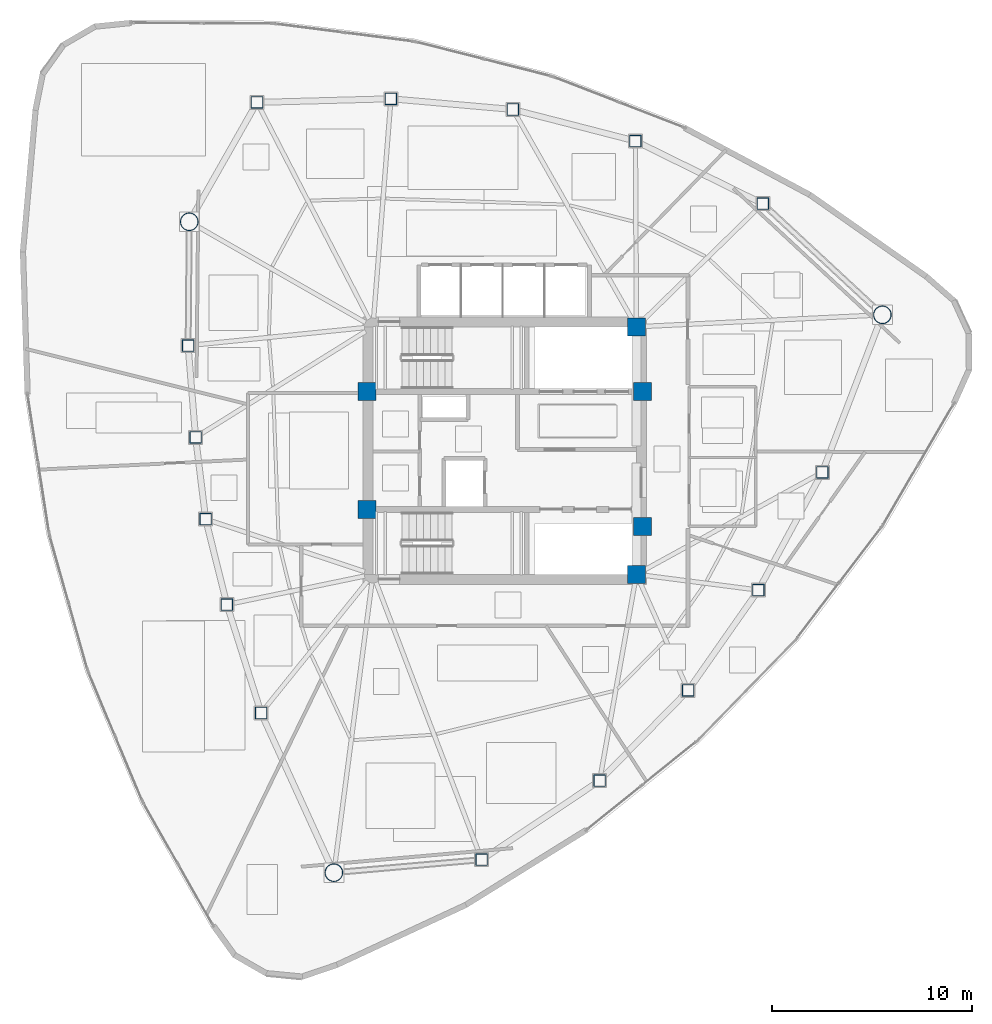
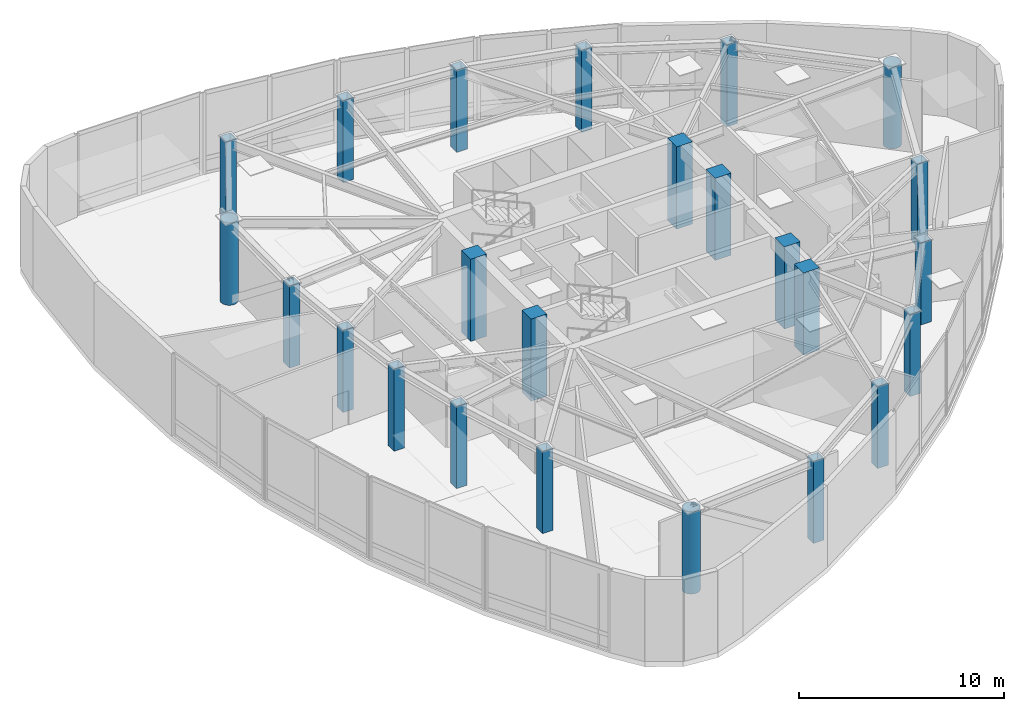
# One storey, part 1 of 12: 24 columns.
"""IFC4 building model written with IfcOpenShell, lengths in metres."""

import ifcopenshell
import ifcopenshell.guid

model = None  # the IFC model being written
_history = None  # IfcOwnerHistory: only IFC2X3 demands one
_inside = {}  # id of a spatial element -> (the spatial element, [elements in it])
_under = {}  # id of a project, library or spatial element -> (it, [spatial elements below it])
_declared = {}  # id of a project -> (the project, [libraries it declares])
_typed = {}  # id of a type object -> (the type object, [elements of that type])
_made_of = {}  # id of a material, layer set ... -> (it, [elements and type objects made of it])


def new_model(schema):
    """Start an empty IFC model of exactly this schema.

    Asked for "IFC4X3", IfcOpenShell would pick the latest addendum, in which some entities
    have other attributes; the version numbers below select the first issue.
    IFC2X3 requires an IfcOwnerHistory on every rooted entity: one is made here for all.
    """
    global model, _history
    if schema == "IFC4X3":
        model = ifcopenshell.file(schema_version=(4, 3, 0, 0))
    else:
        model = ifcopenshell.file(schema=schema)
    _inside.clear()
    _under.clear()
    _declared.clear()
    _typed.clear()
    _made_of.clear()
    _history = None
    if model.schema == "IFC2X3":
        org = make("IfcOrganization", Name="unknown")
        user = make(
            "IfcPersonAndOrganization",
            ThePerson=make("IfcPerson", FamilyName="unknown"),
            TheOrganization=org,
        )
        app = make(
            "IfcApplication",
            ApplicationDeveloper=org,
            Version="unknown",
            ApplicationFullName="unknown",
            ApplicationIdentifier="unknown",
        )
        _history = make(
            "IfcOwnerHistory",
            OwningUser=user,
            OwningApplication=app,
            ChangeAction="ADDED",
            CreationDate=0,
        )
    return model


def make(cls, **values):
    """One entity of the class cls with the attributes given. An attribute that is None is left unset."""
    return model.create_entity(
        cls, **{name: value for name, value in values.items() if value is not None}
    )


def rooted(cls, **values):
    """An entity with a GlobalId (a new one), such as an element, a storey or a relation."""
    return make(cls, GlobalId=ifcopenshell.guid.new(), OwnerHistory=_history, **values)


def si_unit(unit_type, name, prefix=None):
    """IfcSIUnit, for example si_unit("LENGTHUNIT", "METRE", prefix="MILLI")."""
    return make("IfcSIUnit", UnitType=unit_type, Prefix=prefix, Name=name)


def assignment(units):
    """IfcUnitAssignment: the units of a project."""
    return None if units is None else make("IfcUnitAssignment", Units=units)


def point(xyz):
    """IfcCartesianPoint."""
    return None if xyz is None else make("IfcCartesianPoint", Coordinates=xyz)


def direction(xyz):
    """IfcDirection."""
    return None if xyz is None else make("IfcDirection", DirectionRatios=xyz)


def frame(location, z_axis=None, x_axis=None):
    """IfcAxis2Placement3D, a coordinate frame: its origin and axes. An axis left out is left unset."""
    return make(
        "IfcAxis2Placement3D",
        Location=point(location),
        Axis=direction(z_axis),
        RefDirection=direction(x_axis),
    )


def frame_2d(location, x_axis=None):
    """IfcAxis2Placement2D, a coordinate frame in the plane: its origin and x axis."""
    return make(
        "IfcAxis2Placement2D", Location=point(location), RefDirection=direction(x_axis)
    )


def origin():
    """The frame at (0, 0, 0) with its axes left unset."""
    return frame((0.0, 0.0, 0.0))


def origin_2d():
    """The frame at (0, 0) in the plane with its x axis left unset."""
    return frame_2d((0.0, 0.0))


def place(relative_to, where):
    """IfcLocalPlacement: puts the frame where relative to a parent placement (None: the world)."""
    return make(
        "IfcLocalPlacement", PlacementRelTo=relative_to, RelativePlacement=where
    )


def context(
    kind, dimensions, precision=None, world=None, true_north=None, identifier=None
):
    """IfcGeometricRepresentationContext, for example the 3D "Model" context."""
    return make(
        "IfcGeometricRepresentationContext",
        ContextIdentifier=identifier,
        ContextType=kind,
        CoordinateSpaceDimension=dimensions,
        Precision=precision,
        WorldCoordinateSystem=world,
        TrueNorth=true_north,
    )


def subcontext(parent, identifier, kind, view, scale=None):
    """IfcGeometricRepresentationSubContext, for example "Body" below "Model"."""
    return make(
        "IfcGeometricRepresentationSubContext",
        ContextIdentifier=identifier,
        ContextType=kind,
        ParentContext=parent,
        TargetScale=scale,
        TargetView=view,
    )


def project(units=None, contexts=None):
    """IfcProject with its units and contexts."""
    return rooted(
        "IfcProject",
        Name="project",
        RepresentationContexts=contexts,
        UnitsInContext=assignment(units),
    )


def spatial(cls, under=None, at=None, **own):
    """A site, building, storey or space (cls), placed at a placement, below another one or the project."""
    s = rooted(cls, ObjectPlacement=at, **own)
    if under is not None:
        _under.setdefault(under.id(), (under, []))[1].append(s)
    return s


def profile(cls, at=None, kind="AREA", **sizes):
    """A parametric profile (cls). Its sizes go by their IFC names, for example OverallWidth=200.0."""
    return make(cls, ProfileType=kind, Position=at, **sizes)


def rectangle(**sizes):
    """IfcRectangleProfileDef."""
    return profile("IfcRectangleProfileDef", **sizes)


def hollow_rectangle(**sizes):
    """IfcRectangleHollowProfileDef."""
    return profile("IfcRectangleHollowProfileDef", **sizes)


def hollow_circle(**sizes):
    """IfcCircleHollowProfileDef."""
    return profile("IfcCircleHollowProfileDef", **sizes)


def extrude(swept, where, along, depth):
    """IfcExtrudedAreaSolid: the profile swept, set in the frame where, extruded along a direction by depth."""
    return make(
        "IfcExtrudedAreaSolid",
        SweptArea=swept,
        Position=where,
        ExtrudedDirection=direction(along),
        Depth=depth,
    )


def shape(context_of_items, identifier, shape_type, items):
    """IfcShapeRepresentation: the items that make up one representation, for example the "Body"."""
    return make(
        "IfcShapeRepresentation",
        ContextOfItems=context_of_items,
        RepresentationIdentifier=identifier,
        RepresentationType=shape_type,
        Items=items,
    )


def material(Name=None, Category=None):
    """IfcMaterial."""
    return make("IfcMaterial", Name=Name, Category=Category)


def material_profile(
    of_material, cross_section, Name=None, Category=None, Priority=None
):
    """IfcMaterialProfile: a cross section and its material."""
    return make(
        "IfcMaterialProfile",
        Name=Name,
        Material=of_material,
        Profile=cross_section,
        Priority=Priority,
        Category=Category,
    )


def profile_set(profiles, Name=None, composite=None):
    """IfcMaterialProfileSet."""
    return make(
        "IfcMaterialProfileSet",
        Name=Name,
        MaterialProfiles=profiles,
        CompositeProfile=composite,
    )


def made_of(thing, what):
    """Note that an element or type object is made of a material, layer set ...; save() writes the relation."""
    if what is not None:
        _made_of.setdefault(what.id(), (what, []))[1].append(thing)
    return thing


def type_object(cls, material=None, **own):
    """A type object (cls), such as IfcWallType, which elements share."""
    return made_of(rooted(cls, **own), material)


def element(
    cls,
    number,
    at=None,
    inside=None,
    cuts=None,
    type_object=None,
    material=None,
    context=None,
    identifier="Body",
    shape_type=None,
    held_by="IfcProductDefinitionShape",
    body=None,
    shapes=None,
    **own,
):
    """One element of the class cls, such as IfcWall. Its Tag is "e" and its number.

    at: its placement. inside: the storey or other place that contains it. cuts: it is an
    opening in that element (IfcRelVoidsElement). A single representation is given by context,
    identifier, shape_type and body (its items); several are given by shapes. held_by: the class
    of the entity that holds the representations. save() writes the other relations.
    """
    e = rooted(cls, Tag="e%d" % number, ObjectPlacement=at, **own)
    if body is not None:
        shapes = [shape(context, identifier, shape_type, body)]
    if shapes is not None:
        e.Representation = make(held_by, Representations=shapes)
    if inside is not None:
        _inside.setdefault(inside.id(), (inside, []))[1].append(e)
    if cuts is not None:
        rooted(
            "IfcRelVoidsElement", RelatingBuildingElement=cuts, RelatedOpeningElement=e
        )
    if type_object is not None:
        _typed.setdefault(type_object.id(), (type_object, []))[1].append(e)
    return made_of(e, material)


def aggregate(whole, parts):
    """IfcRelAggregates: a whole, such as a stair, and the parts it consists of."""
    return rooted("IfcRelAggregates", RelatingObject=whole, RelatedObjects=parts)


def save(model, path):
    """Write the relations noted so far, then the file.

    IfcRelAggregates (storeys below a building ...), IfcRelContainedInSpatialStructure (elements
    in a storey), IfcRelDefinesByType, IfcRelAssociatesMaterial and IfcRelDeclares: one each for
    every whole, place, type object, material and project.
    """
    for whole, parts in _under.values():
        aggregate(whole, parts)
    for where, things in _inside.values():
        rooted(
            "IfcRelContainedInSpatialStructure",
            RelatedElements=things,
            RelatingStructure=where,
        )
    for kind, things in _typed.values():
        rooted("IfcRelDefinesByType", RelatedObjects=things, RelatingType=kind)
    for what, things in _made_of.values():
        rooted("IfcRelAssociatesMaterial", RelatedObjects=things, RelatingMaterial=what)
    for by, libraries in _declared.values():
        rooted("IfcRelDeclares", RelatingContext=by, RelatedDefinitions=libraries)
    model.write(path)


model = new_model("IFC4")

# Units and contexts
model_context = context("Model", 3, precision=1e-05, world=origin(), true_north=direction((0.0, 1.0)))
body_context = subcontext(model_context, "Body", "Model", "MODEL_VIEW")
ifc_project = project(units=[si_unit("LENGTHUNIT", "METRE"), si_unit("AREAUNIT", "SQUARE_METRE"), si_unit("VOLUMEUNIT", "CUBIC_METRE"), si_unit("PLANEANGLEUNIT", "RADIAN"), si_unit("MASSUNIT", "GRAM", prefix="KILO")], contexts=[model_context])

# Site, building, storey
site_placement = place(None, origin())
site = spatial("IfcSite", under=ifc_project, at=site_placement, CompositionType="ELEMENT")
building_placement = place(site_placement, origin())
building = spatial("IfcBuilding", under=site, at=building_placement, Name="Tavelor Broadcast Tower", CompositionType="ELEMENT")
storey_placement = place(building_placement, frame((0.0, 0.0, 216.949951171875)))
storey = spatial("IfcBuildingStorey", under=building, at=storey_placement, Name="L51", CompositionType="ELEMENT", Elevation=216.949951171875)

# Columns
ifc_material_1 = material(Name="Concrete C50/60", Category="concrete")
ifc_material_profile_1 = material_profile(ifc_material_1, rectangle(XDim=0.89990234375, YDim=0.89990234375, at=origin_2d()), Name="RC 900x900")
ifc_profile_set_1 = profile_set([ifc_material_profile_1], Name="Concrete C50/60")
column_type_1 = type_object("IfcColumnType", Name="Core Embedded Composite Column RC900", PredefinedType="COLUMN", material=ifc_profile_set_1)
for number, where, z_axis, x_axis, name in (
    (1, (43.10009765625, 47.949951171875, 0.0), (0.0, 0.0, 1.0), (1.0, 0.0, 0.0), "L51 Core Embedded Column 1"),
    (2, (56.89990234375, 47.949951171875, 0.0), (0.0, 0.0, 1.0), (1.0, 0.0, 0.0), "L51 Core Embedded Column 2"),
    (3, (56.60009765625, 51.199951171875, 0.0), (0.0, 0.0, 1.0), (1.0, 0.0, 0.0), "L51 Core Embedded Column 3"),
    (4, (43.10009765625, 42.050048828125, 0.0), (0.0, 0.0, 1.0), (1.0, 0.0, 0.0), "L51 Core Embedded Column 4"),
    (5, (56.89990234375, 41.199951171875, 0.0), (0.0, 0.0, 1.0), (1.0, 0.0, 0.0), "L51 Core Embedded Column 5"),
    (6, (56.60009765625, 38.800048828125, 0.0), (0.0, 0.0, 1.0), (1.0, 0.0, 0.0), "L51 Core Embedded Column 6"),
):
    element("IfcColumn", number, at=place(storey_placement, frame(where, z_axis=z_axis, x_axis=x_axis)), inside=storey, type_object=column_type_1, Name=name, PredefinedType="COLUMN", context=body_context, shape_type="SweptSolid", body=[
        extrude(rectangle(XDim=0.89990234375, YDim=0.89990234375, at=origin_2d()), origin(), (0.0, 0.0, 1.0), 4.900146484375),
    ])
ifc_material_2 = material(Name="Steel S460", Category="steel")
ifc_material_profile_2 = material_profile(ifc_material_2, hollow_rectangle(XDim=0.60009765625, YDim=0.60009765625, WallThickness=0.035888671875, at=origin_2d()), Name="SHS 600x600x36")
ifc_profile_set_2 = profile_set([ifc_material_profile_2], Name="Steel S460")
column_type_2 = type_object("IfcColumnType", Name="Perimeter Tube Column T5 SHS 600x600x36", PredefinedType="COLUMN", material=ifc_profile_set_2)
for number, where, z_axis, x_axis, name in (
    (7, (34.13720703125, 50.255859375, 0.0), (0.0, 0.0, 1.0), (1.0, 0.0, 0.0), "L51 Perimeter Framed-Tube Column 02"),
    (8, (34.513671875, 45.66455078125, 0.0), (0.0, 0.0, 1.0), (1.0, 0.0, 0.0), "L51 Perimeter Framed-Tube Column 03"),
    (9, (35.018798828125, 41.56396484375, 0.0), (0.0, 0.0, 1.0), (1.0, 0.0, 0.0), "L51 Perimeter Framed-Tube Column 04"),
    (10, (36.08349609375, 37.2822265625, 0.0), (0.0, 0.0, 1.0), (1.0, 0.0, 0.0), "L51 Perimeter Framed-Tube Column 05"),
    (11, (37.797119140625, 31.853271484375, 0.0), (0.0, 0.0, 1.0), (1.0, 0.0, 0.0), "L51 Perimeter Framed-Tube Column 06"),
    (12, (48.843994140625, 24.5048828125, 0.0), (0.0, 0.0, 1.0), (1.0, 0.0, 0.0), "L51 Perimeter Framed-Tube Column 08"),
    (13, (54.754150390625, 28.461669921875, 0.0), (0.0, 0.0, 1.0), (1.0, 0.0, 0.0), "L51 Perimeter Framed-Tube Column 09"),
    (14, (59.1923828125, 32.987060546875, 0.0), (0.0, 0.0, 1.0), (1.0, 0.0, 0.0), "L51 Perimeter Framed-Tube Column 10"),
    (15, (62.7109375, 38.009033203125, 0.0), (0.0, 0.0, 1.0), (1.0, 0.0, 0.0), "L51 Perimeter Framed-Tube Column 11"),
    (16, (65.9072265625, 43.909423828125, 0.0), (0.0, 0.0, 1.0), (1.0, 0.0, 0.0), "L51 Perimeter Framed-Tube Column 12"),
    (17, (62.92724609375, 57.364013671875, 0.0), (0.0, 0.0, 1.0), (1.0, 0.0, 0.0), "L51 Perimeter Framed-Tube Column 14"),
    (18, (56.545654296875, 60.504150390625, 0.0), (0.0, 0.0, 1.0), (1.0, 0.0, 0.0), "L51 Perimeter Framed-Tube Column 15"),
    (19, (50.4072265625, 62.0849609375, 0.0), (0.0, 0.0, 1.0), (1.0, 0.0, 0.0), "L51 Perimeter Framed-Tube Column 16"),
    (20, (44.298828125, 62.621337890625, 0.0), (0.0, 0.0, 1.0), (1.0, 0.0, 0.0), "L51 Perimeter Framed-Tube Column 17"),
    (21, (37.5908203125, 62.439208984375, 0.0), (0.0, 0.0, 1.0), (1.0, 0.0, 0.0), "L51 Perimeter Framed-Tube Column 18"),
):
    element("IfcColumn", number, at=place(storey_placement, frame(where, z_axis=z_axis, x_axis=x_axis)), inside=storey, type_object=column_type_2, Name=name, PredefinedType="COLUMN", context=body_context, shape_type="SweptSolid", body=[
        extrude(hollow_rectangle(XDim=0.60009765625, YDim=0.60009765625, WallThickness=0.035888671875, at=origin_2d()), origin(), (0.0, 0.0, 1.0), 4.900146484375),
    ])
ifc_material_profile_3 = material_profile(ifc_material_2, hollow_circle(Radius=0.45703125, WallThickness=0.0400390625, at=origin_2d()), Name="CHS 914x40")
ifc_profile_set_3 = profile_set([ifc_material_profile_3], Name="Steel S460")
column_type_3 = type_object("IfcColumnType", Name="Tower Mega Column T5 CHS 914x40", PredefinedType="COLUMN", material=ifc_profile_set_3)
for number, where, z_axis, x_axis, name in (
    (22, (34.1962890625, 56.4599609375, 0.0), (0.0, 0.0, 1.0), (1.0, 0.0, 0.0), "L51 Tower Corner Mega Column 01"),
    (23, (41.440185546875, 23.853759765625, 0.0), (0.0, 0.0, 1.0), (1.0, 0.0, 0.0), "L51 Tower Corner Mega Column 07"),
    (24, (68.919677734375, 51.799072265625, 0.0), (0.0, 0.0, 1.0), (1.0, 0.0, 0.0), "L51 Tower Corner Mega Column 13"),
):
    element("IfcColumn", number, at=place(storey_placement, frame(where, z_axis=z_axis, x_axis=x_axis)), inside=storey, type_object=column_type_3, Name=name, PredefinedType="COLUMN", context=body_context, shape_type="SweptSolid", body=[
        extrude(hollow_circle(Radius=0.45703125, WallThickness=0.0400390625, at=origin_2d()), origin(), (0.0, 0.0, 1.0), 4.900146484375),
    ])

save(model, "model.ifc")
